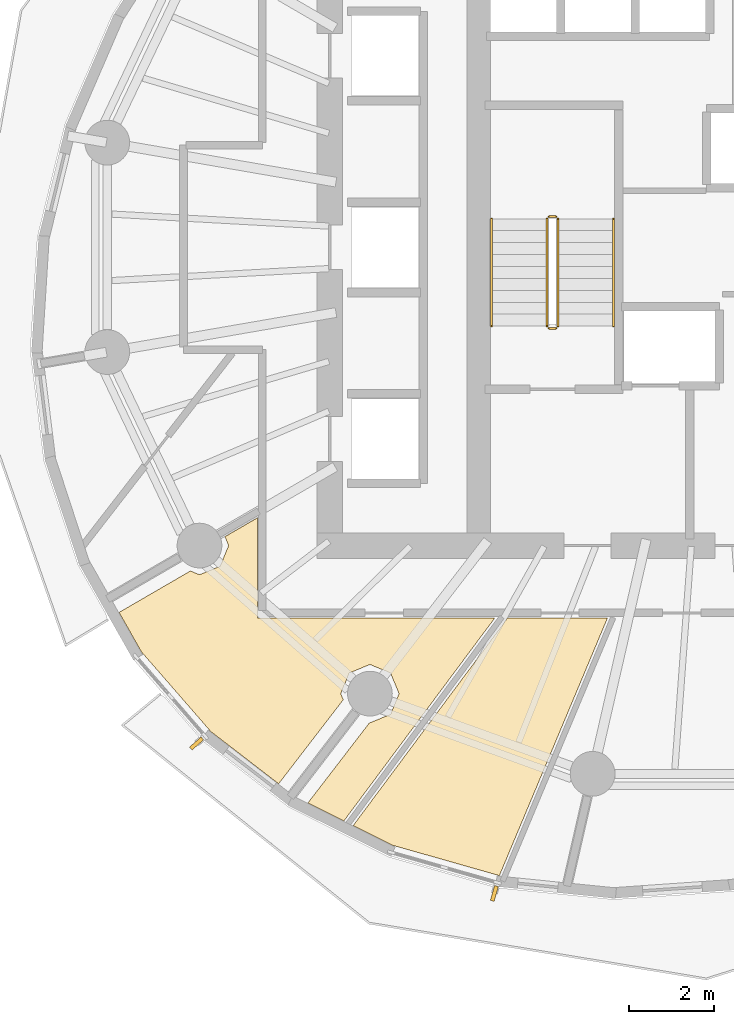
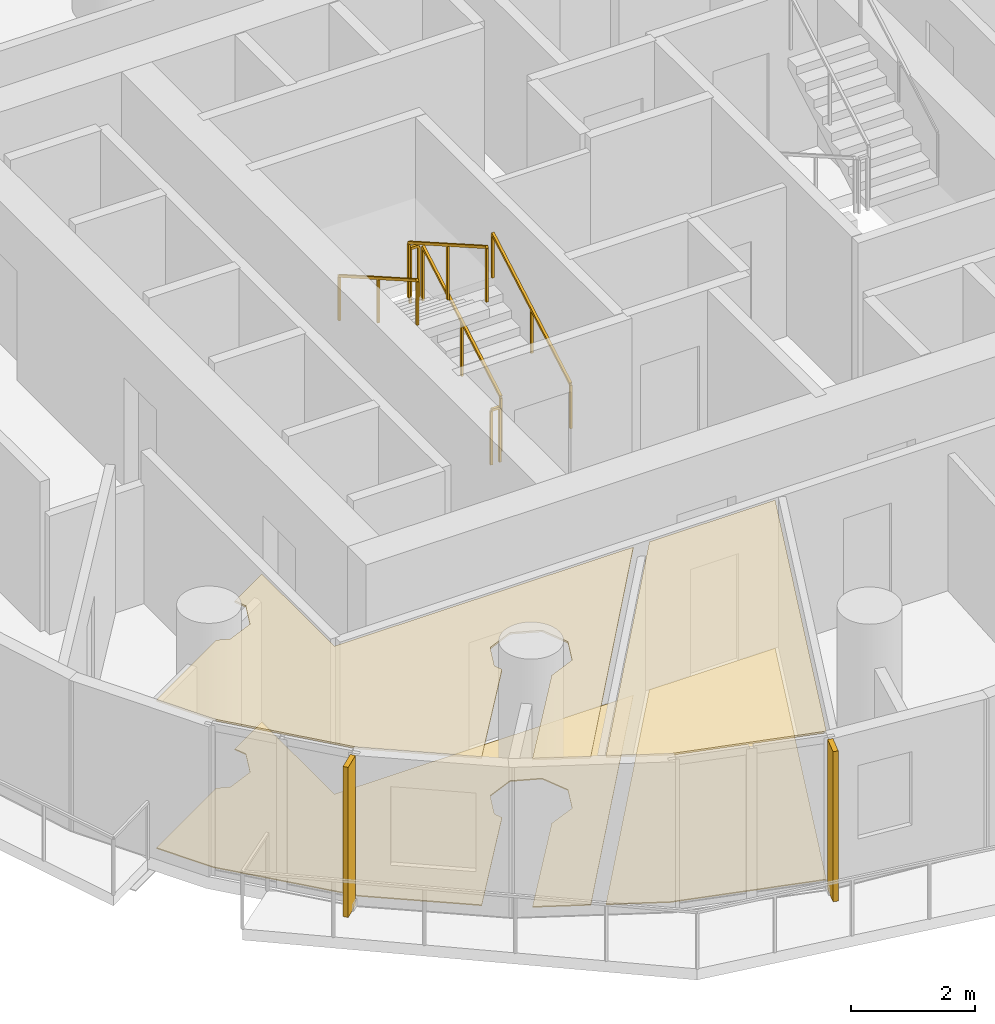
# One storey, part 8 of 12: 6 railings, 4 coverings, 2 shading devices.
"""IFC4 building model written with IfcOpenShell, lengths in metres."""

from ifc_helpers import new_model, si_unit, direction, frame, origin, origin_2d, place, context, subcontext, project, spatial, polyline, rectangle, outline, extrude, material, layer, layer_set, type_object, element, save


model = new_model("IFC4")

# Units and contexts
model_context = context("Model", 3, precision=1e-05, world=origin(), true_north=direction((0.0, 1.0)))
body_context = subcontext(model_context, "Body", "Model", "MODEL_VIEW")
ifc_project = project(units=[si_unit("LENGTHUNIT", "METRE"), si_unit("AREAUNIT", "SQUARE_METRE"), si_unit("VOLUMEUNIT", "CUBIC_METRE"), si_unit("PLANEANGLEUNIT", "RADIAN"), si_unit("MASSUNIT", "GRAM", prefix="KILO")], contexts=[model_context])

# Site, building, storey
site_placement = place(None, origin())
site = spatial("IfcSite", under=ifc_project, at=site_placement, CompositionType="ELEMENT")
building_placement = place(site_placement, origin())
building = spatial("IfcBuilding", under=site, at=building_placement, Name="Veldorim Arch Residences", CompositionType="ELEMENT")
storey_placement = place(building_placement, frame((0.0, 0.0, 148.9599609375)))
storey = spatial("IfcBuildingStorey", under=building, at=storey_placement, Name="L44", CompositionType="ELEMENT", Elevation=148.9599609375)

# Railings
ifc_material_1 = material(Name="Steel S355", Category="steel")
railing_type_1 = type_object("IfcRailingType", Name="Galvanised Steel Stair Safety Guardrail 1100", PredefinedType="GUARDRAIL", material=ifc_material_1)
railing_1_placement = place(storey_placement, frame((28.360107421875, 22.14990234375, 0.16015625)))
element("IfcRailing", 1, at=railing_1_placement, inside=storey, type_object=railing_type_1, Name="L44 ST-1 stair guard 1", PredefinedType="GUARDRAIL", context=body_context, shape_type="SweptSolid", body=[
    extrude(rectangle(XDim=0.048095703125, YDim=0.048095703125, at=origin_2d()), frame((0.0, 0.0, 1.076171875), z_axis=(0.0, 0.868253494771, 0.496120820787), x_axis=(-1.0, 0.0, 0.0)), (0.0, 0.0, 1.0), 2.90234375),
    extrude(rectangle(XDim=0.0419921875, YDim=0.0419921875, at=origin_2d()), origin(), (0.0, 0.0, 1.0), 1.052001953125),
    extrude(rectangle(XDim=0.0419921875, YDim=0.0419921875, at=origin_2d()), frame((0.0, 1.260009765625, 0.719970703125)), (0.0, 0.0, 1.0), 1.052001953125),
    extrude(rectangle(XDim=0.0419921875, YDim=0.0419921875, at=origin_2d()), frame((0.0, 2.52001953125, 1.43994140625)), (0.0, 0.0, 1.0), 1.052001953125),
])
railing_2_placement = place(storey_placement, frame((28.31005859375, 24.719970703125, 1.60009765625)))
element("IfcRailing", 2, at=railing_2_placement, inside=storey, type_object=railing_type_1, Name="L44 ST-1 stair guard 2", PredefinedType="GUARDRAIL", context=body_context, shape_type="SweptSolid", body=[
    extrude(rectangle(XDim=0.048095703125, YDim=0.048095703125, at=origin_2d()), frame((0.0, 0.0, 1.076171875), z_axis=(-1.0, 0.0, 0.0), x_axis=(0.0, -1.0, 0.0)), (0.0, 0.0, 1.0), 0.16015625),
    extrude(rectangle(XDim=0.0419921875, YDim=0.0419921875, at=origin_2d()), origin(), (0.0, 0.0, 1.0), 1.052001953125),
    extrude(rectangle(XDim=0.0419921875, YDim=0.0419921875, at=origin_2d()), frame((-0.16015625, 0.0, 0.0)), (0.0, 0.0, 1.0), 1.052001953125),
])
railing_3_placement = place(storey_placement, frame((28.10009765625, 24.669921875, 1.760009765625)))
element("IfcRailing", 3, at=railing_3_placement, inside=storey, type_object=railing_type_1, Name="L44 ST-1 stair guard 3", PredefinedType="GUARDRAIL", context=body_context, shape_type="SweptSolid", body=[
    extrude(rectangle(XDim=0.048095703125, YDim=0.048095703125, at=origin_2d()), frame((0.0, 0.0, 1.076171875), z_axis=(0.0, -0.868253494771, 0.496120820787), x_axis=(1.0, 0.0, 0.0)), (0.0, 0.0, 1.0), 2.90234375),
    extrude(rectangle(XDim=0.0419921875, YDim=0.0419921875, at=origin_2d()), origin(), (0.0, 0.0, 1.0), 1.052001953125),
    extrude(rectangle(XDim=0.0419921875, YDim=0.0419921875, at=origin_2d()), frame((0.0, -1.260009765625, 0.719970703125)), (0.0, 0.0, 1.0), 1.052001953125),
    extrude(rectangle(XDim=0.0419921875, YDim=0.0419921875, at=origin_2d()), frame((0.0, -2.52001953125, 1.43994140625)), (0.0, 0.0, 1.0), 1.052001953125),
])
railing_4_placement = place(storey_placement, frame((28.31005859375, 22.10009765625, 0.0)))
element("IfcRailing", 4, at=railing_4_placement, inside=storey, type_object=railing_type_1, Name="L44 ST-1 stair guard 4", PredefinedType="GUARDRAIL", context=body_context, shape_type="SweptSolid", body=[
    extrude(rectangle(XDim=0.048095703125, YDim=0.048095703125, at=origin_2d()), frame((0.0, 0.0, 1.076171875), z_axis=(-1.0, 0.0, 0.0), x_axis=(0.0, -1.0, 0.0)), (0.0, 0.0, 1.0), 0.16015625),
    extrude(rectangle(XDim=0.0419921875, YDim=0.0419921875, at=origin_2d()), origin(), (0.0, 0.0, 1.0), 1.052001953125),
    extrude(rectangle(XDim=0.0419921875, YDim=0.0419921875, at=origin_2d()), frame((-0.16015625, 0.0, 0.0)), (0.0, 0.0, 1.0), 1.052001953125),
])

# Coverings
ifc_material_2 = material(Name="Acoustic Gypsum & Mineral Fibre", Category="gypsum")
ifc_layer_1 = layer(ifc_material_2, 0.034912109375, Name="Perforated Acoustic Mineral-Fibre Ceiling 35")
ifc_layer_set_1 = layer_set([ifc_layer_1], Name="Acoustic Gypsum & Mineral Fibre")
covering_type_1 = type_object("IfcCoveringType", Name="Perforated Acoustic Mineral-Fibre Ceiling 35", PredefinedType="CEILING", material=ifc_layer_set_1)
covering_1_placement = place(storey_placement, frame((0.0, 0.0, 2.905029296875)))
element("IfcCovering", 5, at=covering_1_placement, inside=storey, type_object=covering_type_1, Name="L44 acoustic suspended ceiling 01", PredefinedType="CEILING", context=body_context, shape_type="SweptSolid", body=[
    extrude(outline(polyline([(27.175048828125, 15.300048828125), (29.52099609375, 15.300048828125), (26.9833984375, 9.252197265625), (24.481201171875, 9.963623046875), (23.551513671875, 10.427490234375), (27.175048828125, 15.300048828125)])), origin(), (0.0, 0.0, 1.0), 0.034912109375),
])
covering_2_placement = place(storey_placement, frame((0.0, 0.0, 2.905029296875)))
element("IfcCovering", 6, at=covering_2_placement, inside=storey, type_object=covering_type_1, Name="L44 acoustic suspended ceiling 02", PredefinedType="CEILING", context=body_context, shape_type="SweptSolid", body=[
    extrude(outline(polyline([(23.944091796875, 12.838623046875), (24.428466796875, 13.039306640625), (24.629150390625, 13.5234375), (24.428466796875, 14.0078125), (23.944091796875, 14.20849609375), (23.4599609375, 14.0078125), (23.25927734375, 13.5234375), (23.318603515625, 13.38037109375), (21.801513671875, 11.407470703125), (20.209716796875, 12.633056640625), (18.580322265625, 14.50537109375), (18.055908203125, 15.43115234375), (19.73046875, 16.4033203125), (19.943603515625, 16.31494140625), (20.427978515625, 16.515380859375), (20.628662109375, 16.999755859375), (20.5419921875, 17.20849609375), (21.300048828125, 17.6484375), (21.300048828125, 15.300048828125), (26.8759765625, 15.300048828125), (23.33349609375, 10.536376953125), (22.4873046875, 10.95849609375), (23.935791015625, 12.842041015625), (23.944091796875, 12.838623046875)])), origin(), (0.0, 0.0, 1.0), 0.034912109375),
])
ifc_material_3 = material(Name="Porcelain Ceramic Tile", Category="ceramic")
ifc_layer_2 = layer(ifc_material_3, 0.02001953125, Name="Slip-Resistant Porcelain & Vinyl Floor Finish 20")
ifc_layer_set_2 = layer_set([ifc_layer_2], Name="Porcelain Ceramic Tile")
covering_type_2 = type_object("IfcCoveringType", Name="Slip-Resistant Porcelain & Vinyl Floor Finish 20", PredefinedType="FLOORING", material=ifc_layer_set_2)
covering_3_placement = place(storey_placement, origin())
element("IfcCovering", 7, at=covering_3_placement, inside=storey, type_object=covering_type_2, Name="L44 porcelain floor finish 01", PredefinedType="FLOORING", context=body_context, shape_type="SweptSolid", body=[
    extrude(outline(polyline([(27.175048828125, 15.300048828125), (29.52099609375, 15.300048828125), (26.9833984375, 9.252197265625), (24.481201171875, 9.963623046875), (23.551513671875, 10.427490234375), (27.175048828125, 15.300048828125)])), origin(), (0.0, 0.0, 1.0), 0.02001953125),
])
covering_4_placement = place(storey_placement, origin())
element("IfcCovering", 8, at=covering_4_placement, inside=storey, type_object=covering_type_2, Name="L44 porcelain floor finish 02", PredefinedType="FLOORING", context=body_context, shape_type="SweptSolid", body=[
    extrude(outline(polyline([(23.944091796875, 12.838623046875), (24.428466796875, 13.039306640625), (24.629150390625, 13.5234375), (24.428466796875, 14.0078125), (23.944091796875, 14.20849609375), (23.4599609375, 14.0078125), (23.25927734375, 13.5234375), (23.318603515625, 13.38037109375), (21.801513671875, 11.407470703125), (20.209716796875, 12.633056640625), (18.580322265625, 14.50537109375), (18.055908203125, 15.43115234375), (19.73046875, 16.4033203125), (19.943603515625, 16.31494140625), (20.427978515625, 16.515380859375), (20.628662109375, 16.999755859375), (20.5419921875, 17.20849609375), (21.300048828125, 17.6484375), (21.300048828125, 15.300048828125), (26.8759765625, 15.300048828125), (23.33349609375, 10.536376953125), (22.4873046875, 10.95849609375), (23.935791015625, 12.842041015625), (23.944091796875, 12.838623046875)])), origin(), (0.0, 0.0, 1.0), 0.02001953125),
])

# Railings
ifc_material_4 = material(Name="Stainless Steel", Category="steel")
railing_type_2 = type_object("IfcRailingType", Name="Tubular Steel Continuous Wall Handrail 900", PredefinedType="HANDRAIL", material=ifc_material_4)
railing_5_placement = place(storey_placement, frame((29.659912109375, 22.14990234375, 0.16015625)))
element("IfcRailing", 9, at=railing_5_placement, inside=storey, type_object=railing_type_2, Name="L44 ST-1 stair handrail 1", PredefinedType="HANDRAIL", context=body_context, shape_type="SweptSolid", body=[
    extrude(rectangle(XDim=0.048095703125, YDim=0.048095703125, at=origin_2d()), frame((0.0, 0.0, 0.8759765625), z_axis=(0.0, 0.868253494771, 0.496120820787), x_axis=(-1.0, 0.0, 0.0)), (0.0, 0.0, 1.0), 2.90234375),
    extrude(rectangle(XDim=0.0419921875, YDim=0.0419921875, at=origin_2d()), origin(), (0.0, 0.0, 1.0), 0.851806640625),
    extrude(rectangle(XDim=0.0419921875, YDim=0.0419921875, at=origin_2d()), frame((0.0, 1.260009765625, 0.719970703125)), (0.0, 0.0, 1.0), 0.851806640625),
    extrude(rectangle(XDim=0.0419921875, YDim=0.0419921875, at=origin_2d()), frame((0.0, 2.52001953125, 1.43994140625)), (0.0, 0.0, 1.0), 0.851806640625),
])
railing_6_placement = place(storey_placement, frame((26.800048828125, 24.669921875, 1.760009765625)))
element("IfcRailing", 10, at=railing_6_placement, inside=storey, type_object=railing_type_2, Name="L44 ST-1 stair handrail 2", PredefinedType="HANDRAIL", context=body_context, shape_type="SweptSolid", body=[
    extrude(rectangle(XDim=0.048095703125, YDim=0.048095703125, at=origin_2d()), frame((0.0, 0.0, 0.8759765625), z_axis=(0.0, -0.868253494771, 0.496120820787), x_axis=(1.0, 0.0, 0.0)), (0.0, 0.0, 1.0), 2.90234375),
    extrude(rectangle(XDim=0.0419921875, YDim=0.0419921875, at=origin_2d()), origin(), (0.0, 0.0, 1.0), 0.851806640625),
    extrude(rectangle(XDim=0.0419921875, YDim=0.0419921875, at=origin_2d()), frame((0.0, -1.260009765625, 0.719970703125)), (0.0, 0.0, 1.0), 0.851806640625),
    extrude(rectangle(XDim=0.0419921875, YDim=0.0419921875, at=origin_2d()), frame((0.0, -2.52001953125, 1.43994140625)), (0.0, 0.0, 1.0), 0.851806640625),
])

# Shading devices
ifc_material_5 = material(Name="Terracotta Ceramic", Category="masonry")
ifc_layer_3 = layer(ifc_material_5, 0.090087890625, Name="Vertical Extruded Terracotta Baguette Sun-Shading Fin")
ifc_layer_set_3 = layer_set([ifc_layer_3], Name="Terracotta Ceramic")
shading_device_type = type_object("IfcShadingDeviceType", Name="Vertical Extruded Terracotta Baguette Sun-Shading Fin", PredefinedType="USERDEFINED", material=ifc_layer_set_3)
for number, where, z_axis, x_axis, name in (
    (11, (19.87548828125, 12.3544921875, 0.0), (0.0, 0.0, 1.0), (-0.656454104053, 0.75436596508, 0.0), "L44 vertical terracotta sun-shading fin 19"),
    (12, (26.86572265625, 8.833251953125, 0.0), (0.0, 0.0, 1.0), (-0.961836880762, 0.273623490961, 0.0), "L44 vertical terracotta sun-shading fin 22"),
):
    element("IfcShadingDevice", number, at=place(storey_placement, frame(where, z_axis=z_axis, x_axis=x_axis)), inside=storey, type_object=shading_device_type, Name=name, ObjectType="FIN", PredefinedType="USERDEFINED", context=body_context, shape_type="SweptSolid", body=[
        extrude(rectangle(XDim=0.090087890625, YDim=0.360107421875, at=origin_2d()), origin(), (0.0, 0.0, 1.0), 2.9599609375),
    ])

save(model, "model.ifc")
